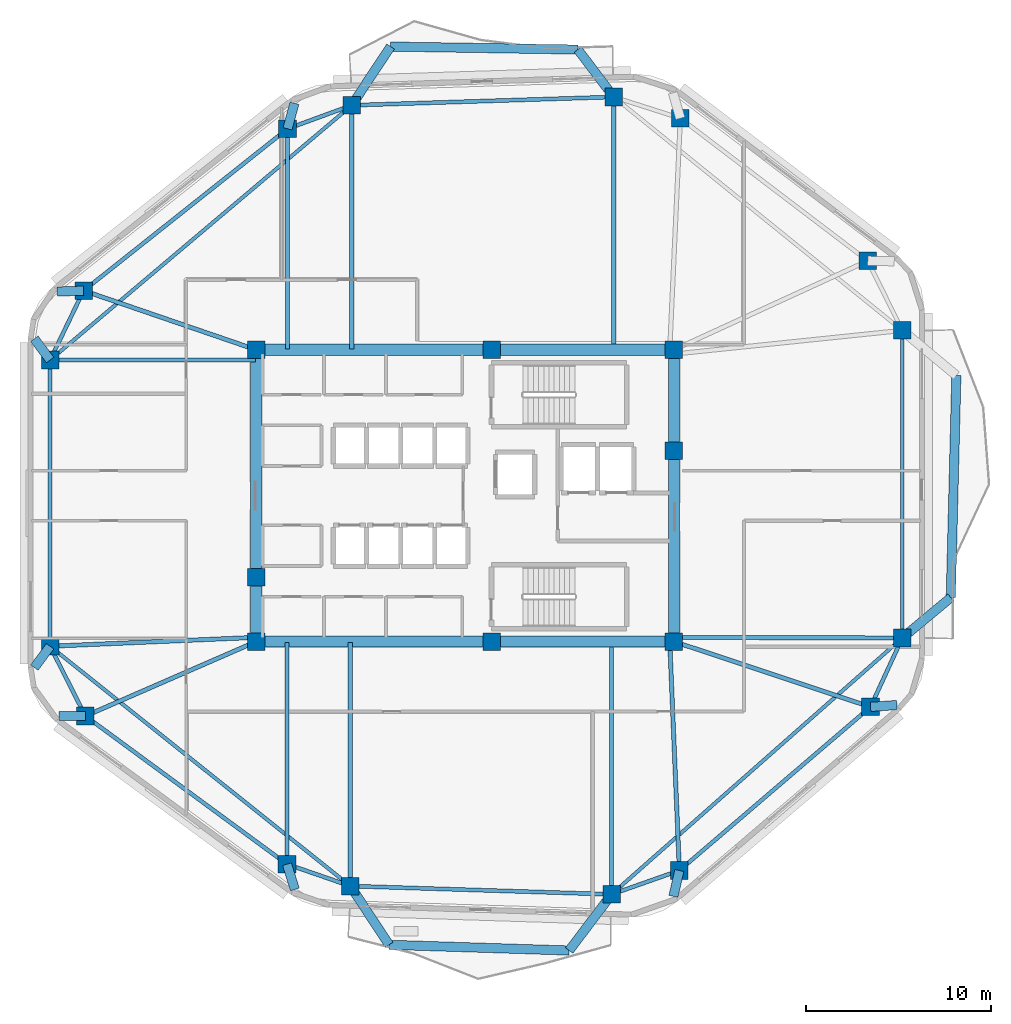
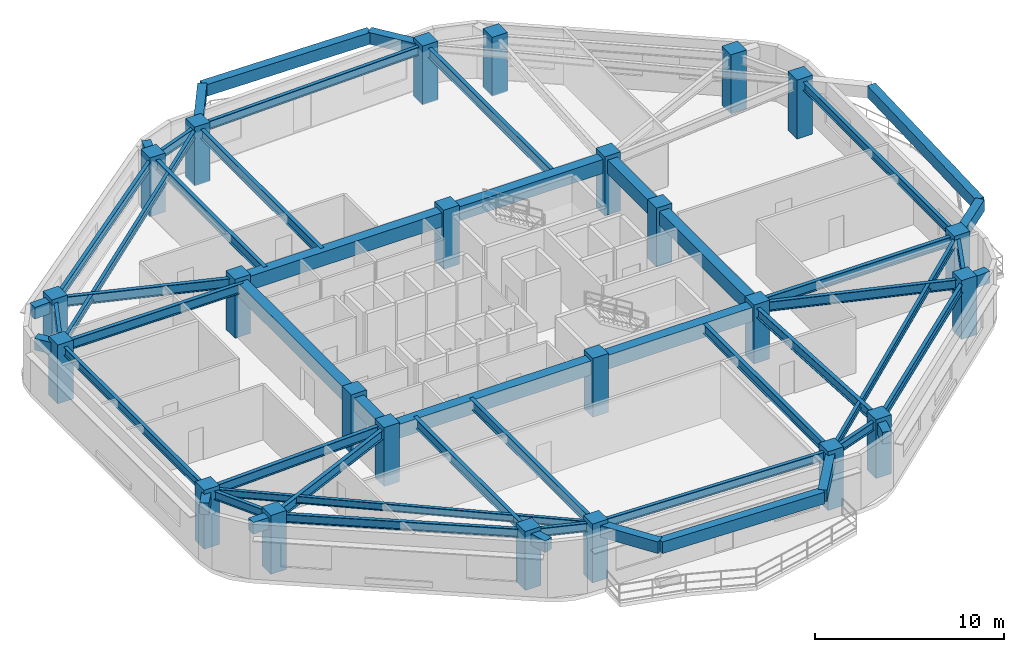
# One storey, part 1 of 8: 53 beams, 24 columns.
"""IFC4 building model written with IfcOpenShell, lengths in metres."""

from ifc_helpers import new_model, si_unit, direction, frame, origin, origin_2d, place, context, subcontext, project, spatial, rectangle, i_section, extrude, material, material_profile, profile_set, type_object, element, save


model = new_model("IFC4")

# Units and contexts
model_context = context("Model", 3, precision=1e-05, world=origin(), true_north=direction((0.0, 1.0)))
body_context = subcontext(model_context, "Body", "Model", "MODEL_VIEW")
ifc_project = project(units=[si_unit("LENGTHUNIT", "METRE"), si_unit("AREAUNIT", "SQUARE_METRE"), si_unit("VOLUMEUNIT", "CUBIC_METRE"), si_unit("PLANEANGLEUNIT", "RADIAN"), si_unit("MASSUNIT", "GRAM", prefix="KILO")], contexts=[model_context])

# Site, building, storey
site_placement = place(None, origin())
site = spatial("IfcSite", under=ifc_project, at=site_placement, CompositionType="ELEMENT")
building_placement = place(site_placement, origin())
building = spatial("IfcBuilding", under=site, at=building_placement, Name="Zulverin Broadcast Headquarters", CompositionType="ELEMENT")
storey_placement = place(building_placement, frame((0.0, 0.0, 163.0)))
storey = spatial("IfcBuildingStorey", under=building, at=storey_placement, Name="L41", CompositionType="ELEMENT", Elevation=163.0)

# Columns
ifc_material_1 = material(Name="Concrete C50/60", Category="concrete")
ifc_material_profile_1 = material_profile(ifc_material_1, rectangle(XDim=0.949951171875, YDim=0.949951171875, at=origin_2d()), Name="Concrete C50/60", Category="concrete")
ifc_profile_set_1 = profile_set([ifc_material_profile_1], Name="Concrete C50/60")
column_type_1 = type_object("IfcColumnType", Name="COL-RC-950", PredefinedType="COLUMN", material=ifc_profile_set_1)
for number, where, z_axis, x_axis, name in (
    (1, (30.80859375, 4.12744140625, 0.0), (0.0, 0.0, 1.0), (1.0, 0.0, 0.0), "L41 Perimeter Column T01"),
    (2, (44.909912109375, 3.68017578125, 0.0), (0.0, 0.0, 1.0), (1.0, 0.0, 0.0), "L41 Perimeter Column T02"),
    (3, (48.569580078125, 4.967041015625, 0.0), (0.0, 0.0, 1.0), (1.0, 0.0, 0.0), "L41 Perimeter Column T03"),
    (4, (58.886962890625, 13.798095703125, 0.0), (0.0, 0.0, 1.0), (1.0, 0.0, 0.0), "L41 Perimeter Column T04"),
    (5, (60.60009765625, 17.519287109375, 0.0), (0.0, 0.0, 1.0), (1.0, 0.0, 0.0), "L41 Perimeter Column T05"),
    (6, (60.60009765625, 34.12158203125, 0.0), (0.0, 0.0, 1.0), (1.0, 0.0, 0.0), "L41 Perimeter Column T06"),
    (7, (58.738037109375, 37.877685546875, 0.0), (0.0, 0.0, 1.0), (1.0, 0.0, 0.0), "L41 Perimeter Column T07"),
    (8, (48.62158203125, 45.574951171875, 0.0), (0.0, 0.0, 1.0), (1.0, 0.0, 0.0), "L41 Perimeter Column T08"),
    (9, (45.027587890625, 46.7236328125, 0.0), (0.0, 0.0, 1.0), (1.0, 0.0, 0.0), "L41 Perimeter Column T09"),
    (10, (30.882080078125, 46.27490234375, 0.0), (0.0, 0.0, 1.0), (1.0, 0.0, 0.0), "L41 Perimeter Column T10"),
    (11, (27.416259765625, 45.00439453125, 0.0), (0.0, 0.0, 1.0), (1.0, 0.0, 0.0), "L41 Perimeter Column T11"),
    (12, (16.40869140625, 36.26806640625, 0.0), (0.0, 0.0, 1.0), (1.0, 0.0, 0.0), "L41 Perimeter Column T12"),
    (13, (14.60009765625, 32.523193359375, 0.0), (0.0, 0.0, 1.0), (1.0, 0.0, 0.0), "L41 Perimeter Column T13"),
    (14, (14.60009765625, 17.072021484375, 0.0), (0.0, 0.0, 1.0), (1.0, 0.0, 0.0), "L41 Perimeter Column T14"),
    (15, (16.50537109375, 13.306884765625, 0.0), (0.0, 0.0, 1.0), (1.0, 0.0, 0.0), "L41 Perimeter Column T15"),
    (16, (27.38720703125, 5.309814453125, 0.0), (0.0, 0.0, 1.0), (1.0, 0.0, 0.0), "L41 Perimeter Column T16"),
):
    element("IfcColumn", number, at=place(storey_placement, frame(where, z_axis=z_axis, x_axis=x_axis)), inside=storey, type_object=column_type_1, Name=name, PredefinedType="COLUMN", context=body_context, shape_type="SweptSolid", body=[
        extrude(rectangle(XDim=0.949951171875, YDim=0.949951171875, at=origin_2d()), origin(), (0.0, 0.0, 1.0), 3.800048828125),
    ])
ifc_material_profile_2 = material_profile(ifc_material_1, rectangle(XDim=0.949951171875, YDim=0.949951171875, at=origin_2d()), Name="Concrete C50/60", Category="concrete")
ifc_profile_set_2 = profile_set([ifc_material_profile_2], Name="Concrete C50/60")
column_type_2 = type_object("IfcColumnType", Name="PIL-RC-950", PredefinedType="PILASTER", material=ifc_profile_set_2)
for number, where, z_axis, x_axis, name in (
    (17, (25.72509765625, 17.324951171875, 0.0), (0.0, 0.0, 1.0), (1.0, 0.0, 0.0), "L41 Core Pilaster K01"),
    (18, (38.449951171875, 17.324951171875, 0.0), (0.0, 0.0, 1.0), (1.0, 0.0, 0.0), "L41 Core Pilaster K02"),
    (19, (48.27490234375, 17.324951171875, 0.0), (0.0, 0.0, 1.0), (1.0, 0.0, 0.0), "L41 Core Pilaster K03"),
    (20, (48.27490234375, 27.6201171875, 0.0), (0.0, 0.0, 1.0), (1.0, 0.0, 0.0), "L41 Core Pilaster K04"),
    (21, (48.27490234375, 33.074951171875, 0.0), (0.0, 0.0, 1.0), (1.0, 0.0, 0.0), "L41 Core Pilaster K05"),
    (22, (38.449951171875, 33.074951171875, 0.0), (0.0, 0.0, 1.0), (1.0, 0.0, 0.0), "L41 Core Pilaster K06"),
    (23, (25.72509765625, 33.074951171875, 0.0), (0.0, 0.0, 1.0), (1.0, 0.0, 0.0), "L41 Core Pilaster K07"),
    (24, (25.72509765625, 20.800048828125, 0.0), (0.0, 0.0, 1.0), (1.0, 0.0, 0.0), "L41 Core Pilaster K08"),
):
    element("IfcColumn", number, at=place(storey_placement, frame(where, z_axis=z_axis, x_axis=x_axis)), inside=storey, type_object=column_type_2, Name=name, PredefinedType="PILASTER", context=body_context, shape_type="SweptSolid", body=[
        extrude(rectangle(XDim=0.949951171875, YDim=0.949951171875, at=origin_2d()), origin(), (0.0, 0.0, 1.0), 3.800048828125),
    ])

# Beams
ifc_material_2 = material(Name="Concrete C60/75", Category="concrete")
ifc_material_profile_3 = material_profile(ifc_material_2, rectangle(XDim=0.60009765625, YDim=0.89990234375, at=origin_2d()), Name="Concrete C60/75", Category="concrete")
ifc_profile_set_3 = profile_set([ifc_material_profile_3], Name="Concrete C60/75")
beam_type_1 = type_object("IfcBeamType", Name="BM-CB-600x900", PredefinedType="LINTEL", material=ifc_profile_set_3)
beam_1_placement = place(storey_placement, frame((25.72509765625, 17.324951171875, 3.090087890625), z_axis=(1.0, 0.0, 0.0), x_axis=(0.0, 1.0, 0.0)))
element("IfcBeam", 25, at=beam_1_placement, inside=storey, type_object=beam_type_1, Name="L41 Core Coupling Girder K01-K02", PredefinedType="LINTEL", context=body_context, shape_type="SweptSolid", body=[
    extrude(rectangle(XDim=0.60009765625, YDim=0.89990234375, at=origin_2d()), origin(), (0.0, 0.0, 1.0), 12.724853515625),
])
beam_2_placement = place(storey_placement, frame((38.449951171875, 17.324951171875, 3.090087890625), z_axis=(1.0, 0.0, 0.0), x_axis=(0.0, 1.0, 0.0)))
element("IfcBeam", 26, at=beam_2_placement, inside=storey, type_object=beam_type_1, Name="L41 Core Coupling Girder K02-K03", PredefinedType="LINTEL", context=body_context, shape_type="SweptSolid", body=[
    extrude(rectangle(XDim=0.60009765625, YDim=0.89990234375, at=origin_2d()), origin(), (0.0, 0.0, 1.0), 9.824951171875),
])
beam_3_placement = place(storey_placement, frame((48.27490234375, 17.324951171875, 3.090087890625), z_axis=(0.0, 1.0, 0.0), x_axis=(-1.0, 0.0, 0.0)))
element("IfcBeam", 27, at=beam_3_placement, inside=storey, type_object=beam_type_1, Name="L41 Core Coupling Girder K03-K04", PredefinedType="LINTEL", context=body_context, shape_type="SweptSolid", body=[
    extrude(rectangle(XDim=0.60009765625, YDim=0.89990234375, at=origin_2d()), origin(), (0.0, 0.0, 1.0), 10.295166015625),
])
beam_4_placement = place(storey_placement, frame((48.27490234375, 27.6201171875, 3.090087890625), z_axis=(0.0, 1.0, 0.0), x_axis=(-1.0, 0.0, 0.0)))
element("IfcBeam", 28, at=beam_4_placement, inside=storey, type_object=beam_type_1, Name="L41 Core Coupling Girder K04-K05", PredefinedType="LINTEL", context=body_context, shape_type="SweptSolid", body=[
    extrude(rectangle(XDim=0.60009765625, YDim=0.89990234375, at=origin_2d()), origin(), (0.0, 0.0, 1.0), 5.454833984375),
])
beam_5_placement = place(storey_placement, frame((48.27490234375, 33.074951171875, 3.090087890625), z_axis=(-1.0, 0.0, 0.0), x_axis=(0.0, -1.0, 0.0)))
element("IfcBeam", 29, at=beam_5_placement, inside=storey, type_object=beam_type_1, Name="L41 Core Coupling Girder K05-K06", PredefinedType="LINTEL", context=body_context, shape_type="SweptSolid", body=[
    extrude(rectangle(XDim=0.60009765625, YDim=0.89990234375, at=origin_2d()), origin(), (0.0, 0.0, 1.0), 9.824951171875),
])
beam_6_placement = place(storey_placement, frame((38.449951171875, 33.074951171875, 3.090087890625), z_axis=(-1.0, 0.0, 0.0), x_axis=(0.0, -1.0, 0.0)))
element("IfcBeam", 30, at=beam_6_placement, inside=storey, type_object=beam_type_1, Name="L41 Core Coupling Girder K06-K07", PredefinedType="LINTEL", context=body_context, shape_type="SweptSolid", body=[
    extrude(rectangle(XDim=0.60009765625, YDim=0.89990234375, at=origin_2d()), origin(), (0.0, 0.0, 1.0), 12.724853515625),
])
beam_7_placement = place(storey_placement, frame((25.72509765625, 33.074951171875, 3.090087890625), z_axis=(0.0, -1.0, 0.0), x_axis=(1.0, 0.0, 0.0)))
element("IfcBeam", 31, at=beam_7_placement, inside=storey, type_object=beam_type_1, Name="L41 Core Coupling Girder K07-K08", PredefinedType="LINTEL", context=body_context, shape_type="SweptSolid", body=[
    extrude(rectangle(XDim=0.60009765625, YDim=0.89990234375, at=origin_2d()), origin(), (0.0, 0.0, 1.0), 12.27490234375),
])
beam_8_placement = place(storey_placement, frame((25.72509765625, 20.800048828125, 3.090087890625), z_axis=(0.0, -1.0, 0.0), x_axis=(1.0, 0.0, 0.0)))
element("IfcBeam", 32, at=beam_8_placement, inside=storey, type_object=beam_type_1, Name="L41 Core Coupling Girder K08-K01", PredefinedType="LINTEL", context=body_context, shape_type="SweptSolid", body=[
    extrude(rectangle(XDim=0.60009765625, YDim=0.89990234375, at=origin_2d()), origin(), (0.0, 0.0, 1.0), 3.47509765625),
])
ifc_material_3 = material(Name="Concrete C40/50", Category="concrete")
ifc_material_profile_4 = material_profile(ifc_material_3, rectangle(XDim=0.5, YDim=0.75, at=origin_2d()), Name="Concrete C40/50", Category="concrete")
ifc_profile_set_4 = profile_set([ifc_material_profile_4], Name="Concrete C40/50")
beam_type_2 = type_object("IfcBeamType", Name="BM-RC-500x750", PredefinedType="BEAM", material=ifc_profile_set_4)
for number, where, z_axis, x_axis, name in (
    (33, (48.569580078125, 4.967041015625, 3.1650390625), (-0.224497908308, -0.974474570815, 0.0), (0.974474570815, -0.224497908308, 0.0), "L42 Plate Overhang Back-Spanned Beam OVR-03"),
    (34, (58.886962890625, 13.798095703125, 3.1650390625), (0.997450894981, 0.071356233801, 0.0), (-0.071356233801, 0.997450894981, 0.0), "L42 Plate Overhang Back-Spanned Beam OVR-04"),
    (35, (27.416259765625, 45.00439453125, 3.1650390625), (0.260328526912, 0.965520097189, 0.0), (-0.965520097189, 0.260328526912, 0.0), "L42 Plate Overhang Back-Spanned Beam OVR-11"),
):
    element("IfcBeam", number, at=place(storey_placement, frame(where, z_axis=z_axis, x_axis=x_axis)), inside=storey, type_object=beam_type_2, Name=name, PredefinedType="BEAM", context=body_context, shape_type="SweptSolid", body=[
        extrude(rectangle(XDim=0.5, YDim=0.75, at=origin_2d()), origin(), (0.0, 0.0, 1.0), 1.43017578125),
    ])
for number, where, z_axis, x_axis, name in (
    (36, (16.40869140625, 36.26806640625, 3.1650390625), (-0.999411057508, -0.034315275463, 0.0), (0.034315275463, -0.999411057508, 0.0), "L42 Plate Overhang Back-Spanned Beam OVR-12"),
    (37, (14.60009765625, 32.523193359375, 3.1650390625), (-0.594467864193, 0.804119368279, 0.0), (-0.804119368279, -0.594467864193, 0.0), "L42 Plate Overhang Back-Spanned Beam OVR-13"),
):
    element("IfcBeam", number, at=place(storey_placement, frame(where, z_axis=z_axis, x_axis=x_axis)), inside=storey, type_object=beam_type_2, Name=name, PredefinedType="BEAM", context=body_context, shape_type="SweptSolid", body=[
        extrude(rectangle(XDim=0.5, YDim=0.75, at=origin_2d()), origin(), (0.0, 0.0, 1.0), 1.429931640625),
    ])
beam_9_placement = place(storey_placement, frame((14.60009765625, 17.072021484375, 3.1650390625), z_axis=(-0.594386261368, -0.80417968906, 0.0), x_axis=(0.80417968906, -0.594386261368, 0.0)))
element("IfcBeam", 38, at=beam_9_placement, inside=storey, type_object=beam_type_2, Name="L42 Plate Overhang Back-Spanned Beam OVR-14", PredefinedType="BEAM", context=body_context, shape_type="SweptSolid", body=[
    extrude(rectangle(XDim=0.5, YDim=0.75, at=origin_2d()), origin(), (0.0, 0.0, 1.0), 1.43017578125),
])
beam_10_placement = place(storey_placement, frame((16.50537109375, 13.306884765625, 3.1650390625), z_axis=(-0.999996268726, -0.002731763753, 0.0), x_axis=(0.002731763753, -0.999996268726, 0.0)))
element("IfcBeam", 39, at=beam_10_placement, inside=storey, type_object=beam_type_2, Name="L42 Plate Overhang Back-Spanned Beam OVR-15", PredefinedType="BEAM", context=body_context, shape_type="SweptSolid", body=[
    extrude(rectangle(XDim=0.5, YDim=0.75, at=origin_2d()), origin(), (0.0, 0.0, 1.0), 1.429931640625),
])
beam_11_placement = place(storey_placement, frame((27.38720703125, 5.309814453125, 3.1650390625), z_axis=(0.296184429368, -0.955130767905, 0.0), x_axis=(0.955130767905, 0.296184429368, 0.0)))
element("IfcBeam", 40, at=beam_11_placement, inside=storey, type_object=beam_type_2, Name="L42 Plate Overhang Back-Spanned Beam OVR-16", PredefinedType="BEAM", context=body_context, shape_type="SweptSolid", body=[
    extrude(rectangle(XDim=0.5, YDim=0.75, at=origin_2d()), origin(), (0.0, 0.0, 1.0), 1.43017578125),
])
beam_12_placement = place(storey_placement, frame((60.60009765625, 17.519287109375, 3.1650390625), z_axis=(0.768414935557, 0.639951941019, 0.0), x_axis=(-0.639951941019, 0.768414935557, 0.0)))
element("IfcBeam", 41, at=beam_12_placement, inside=storey, type_object=beam_type_2, Name="L42 Balcony Column-Framed Cantilever BAL_E-1", PredefinedType="BEAM", context=body_context, shape_type="SweptSolid", body=[
    extrude(rectangle(XDim=0.5, YDim=0.75, at=origin_2d()), origin(), (0.0, 0.0, 1.0), 3.409423828125),
])
beam_13_placement = place(storey_placement, frame((63.219970703125, 19.701171875, 3.1650390625), z_axis=(0.025020166122, 0.999686946642, 0.0), x_axis=(-0.999686946642, 0.025020166122, 0.0)))
element("IfcBeam", 42, at=beam_13_placement, inside=storey, type_object=beam_type_2, Name="L42 Balcony Outer Edge Trimmer Beam BAL_E", PredefinedType="BEAM", context=body_context, shape_type="SweptSolid", body=[
    extrude(rectangle(XDim=0.5, YDim=0.75, at=origin_2d()), origin(), (0.0, 0.0, 1.0), 11.9921875),
])
beam_14_placement = place(storey_placement, frame((30.80859375, 4.12744140625, 3.1650390625), z_axis=(0.550750010235, -0.834670249995, 0.0), x_axis=(0.834670249995, 0.550750010235, 0.0)))
element("IfcBeam", 43, at=beam_14_placement, inside=storey, type_object=beam_type_2, Name="L42 Balcony Column-Framed Cantilever BAL_S-1", PredefinedType="BEAM", context=body_context, shape_type="SweptSolid", body=[
    extrude(rectangle(XDim=0.5, YDim=0.75, at=origin_2d()), origin(), (0.0, 0.0, 1.0), 3.7998046875),
])
beam_15_placement = place(storey_placement, frame((44.909912109375, 3.68017578125, 3.1650390625), z_axis=(-0.602566759329, -0.798068481116, 0.0), x_axis=(0.798068481116, -0.602566759329, 0.0)))
element("IfcBeam", 44, at=beam_15_placement, inside=storey, type_object=beam_type_2, Name="L42 Balcony Column-Framed Cantilever BAL_S-2", PredefinedType="BEAM", context=body_context, shape_type="SweptSolid", body=[
    extrude(rectangle(XDim=0.5, YDim=0.75, at=origin_2d()), origin(), (0.0, 0.0, 1.0), 3.800048828125),
])
beam_16_placement = place(storey_placement, frame((32.9013671875, 0.955810546875, 3.1650390625), z_axis=(0.999497069167, -0.031711334364, 0.0), x_axis=(0.031711334364, 0.999497069167, 0.0)))
element("IfcBeam", 45, at=beam_16_placement, inside=storey, type_object=beam_type_2, Name="L42 Balcony Outer Edge Trimmer Beam BAL_S", PredefinedType="BEAM", context=body_context, shape_type="SweptSolid", body=[
    extrude(rectangle(XDim=0.5, YDim=0.75, at=origin_2d()), origin(), (0.0, 0.0, 1.0), 9.7236328125),
])
beam_17_placement = place(storey_placement, frame((45.027587890625, 46.7236328125, 3.1650390625), z_axis=(-0.60375228791, 0.797171985737, 0.0), x_axis=(-0.797171985737, -0.60375228791, 0.0)))
element("IfcBeam", 46, at=beam_17_placement, inside=storey, type_object=beam_type_2, Name="L42 Balcony Column-Framed Cantilever BAL_N-1", PredefinedType="BEAM", context=body_context, shape_type="SweptSolid", body=[
    extrude(rectangle(XDim=0.5, YDim=0.75, at=origin_2d()), origin(), (0.0, 0.0, 1.0), 3.211181640625),
])
beam_18_placement = place(storey_placement, frame((30.882080078125, 46.27490234375, 3.1650390625), z_axis=(0.551998960416, 0.833844798329, 0.0), x_axis=(-0.833844798329, 0.551998960416, 0.0)))
element("IfcBeam", 47, at=beam_18_placement, inside=storey, type_object=beam_type_2, Name="L42 Balcony Column-Framed Cantilever BAL_N-2", PredefinedType="BEAM", context=body_context, shape_type="SweptSolid", body=[
    extrude(rectangle(XDim=0.5, YDim=0.75, at=origin_2d()), origin(), (0.0, 0.0, 1.0), 3.800048828125),
])
beam_19_placement = place(storey_placement, frame((43.0888671875, 49.283447265625, 3.1650390625), z_axis=(-0.999874527542, 0.015840744079, 0.0), x_axis=(-0.015840744079, -0.999874527542, 0.0)))
element("IfcBeam", 48, at=beam_19_placement, inside=storey, type_object=beam_type_2, Name="L42 Balcony Outer Edge Trimmer Beam BAL_N", PredefinedType="BEAM", context=body_context, shape_type="SweptSolid", body=[
    extrude(rectangle(XDim=0.5, YDim=0.75, at=origin_2d()), origin(), (0.0, 0.0, 1.0), 10.1103515625),
])
ifc_material_4 = material(Name="Structural steel S355JR", Category="steel")
ifc_material_profile_5 = material_profile(ifc_material_4, i_section(OverallWidth=0.19287109375, OverallDepth=0.46728515625, WebThickness=0.011474609375, FlangeThickness=0.01953125, at=origin_2d()), Name="Structural steel S355JR", Category="steel")
ifc_profile_set_5 = profile_set([ifc_material_profile_5], Name="Structural steel S355JR")
beam_type_3 = type_object("IfcBeamType", Name="BM-UB-457", PredefinedType="JOIST", material=ifc_profile_set_5)
beam_20_placement = place(storey_placement, frame((44.909912109375, 3.68017578125, 3.306396484375), z_axis=(0.74996043981, 0.661482682102, 0.0), x_axis=(-0.661482682102, 0.74996043981, 0.0)))
element("IfcBeam", 49, at=beam_20_placement, inside=storey, type_object=beam_type_3, Name="L41 Chordal Floor Joist J-01", PredefinedType="JOIST", context=body_context, shape_type="SweptSolid", body=[
    extrude(i_section(OverallWidth=0.19287109375, OverallDepth=0.46728515625, WebThickness=0.011474609375, FlangeThickness=0.01953125, at=origin_2d()), origin(), (0.0, 0.0, 1.0), 20.92138671875),
])
beam_21_placement = place(storey_placement, frame((30.882080078125, 46.27490234375, 3.306396484375), z_axis=(-0.763972566446, -0.645248725468, 0.0), x_axis=(0.645248725468, -0.763972566446, 0.0)))
element("IfcBeam", 50, at=beam_21_placement, inside=storey, type_object=beam_type_3, Name="L41 Chordal Floor Joist J-03", PredefinedType="JOIST", context=body_context, shape_type="SweptSolid", body=[
    extrude(i_section(OverallWidth=0.19287109375, OverallDepth=0.46728515625, WebThickness=0.011474609375, FlangeThickness=0.01953125, at=origin_2d()), origin(), (0.0, 0.0, 1.0), 21.312255859375),
])
beam_22_placement = place(storey_placement, frame((14.60009765625, 17.072021484375, 3.306396484375), z_axis=(0.781390996609, -0.624041753746, 0.0), x_axis=(0.624041753746, 0.781390996609, 0.0)))
element("IfcBeam", 51, at=beam_22_placement, inside=storey, type_object=beam_type_3, Name="L41 Chordal Floor Joist J-04", PredefinedType="JOIST", context=body_context, shape_type="SweptSolid", body=[
    extrude(i_section(OverallWidth=0.19287109375, OverallDepth=0.46728515625, WebThickness=0.011474609375, FlangeThickness=0.01953125, at=origin_2d()), origin(), (0.0, 0.0, 1.0), 20.7431640625),
])
ifc_material_profile_6 = material_profile(ifc_material_4, i_section(OverallWidth=0.2119140625, OverallDepth=0.54443359375, WebThickness=0.0126953125, FlangeThickness=0.021240234375, at=origin_2d()), Name="Structural steel S355JR", Category="steel")
ifc_profile_set_6 = profile_set([ifc_material_profile_6], Name="Structural steel S355JR")
beam_type_4 = type_object("IfcBeamType", Name="BM-UB-533", PredefinedType="SPANDREL", material=ifc_profile_set_6)
beam_23_placement = place(storey_placement, frame((30.80859375, 4.12744140625, 3.267578125), z_axis=(0.999497363437, -0.031702058031, 0.0), x_axis=(0.031702058031, 0.999497363437, 0.0)))
element("IfcBeam", 52, at=beam_23_placement, inside=storey, type_object=beam_type_4, Name="L41 Perimeter Spandrel Beam SP-01", PredefinedType="SPANDREL", context=body_context, shape_type="SweptSolid", body=[
    extrude(i_section(OverallWidth=0.2119140625, OverallDepth=0.54443359375, WebThickness=0.0126953125, FlangeThickness=0.021240234375, at=origin_2d()), origin(), (0.0, 0.0, 1.0), 14.1083984375),
])
beam_24_placement = place(storey_placement, frame((44.909912109375, 3.68017578125, 3.267578125), z_axis=(0.943376593622, 0.331723684121, 0.0), x_axis=(-0.331723684121, 0.943376593622, 0.0)))
element("IfcBeam", 53, at=beam_24_placement, inside=storey, type_object=beam_type_4, Name="L41 Perimeter Spandrel Beam SP-02", PredefinedType="SPANDREL", context=body_context, shape_type="SweptSolid", body=[
    extrude(i_section(OverallWidth=0.2119140625, OverallDepth=0.54443359375, WebThickness=0.0126953125, FlangeThickness=0.021240234375, at=origin_2d()), origin(), (0.0, 0.0, 1.0), 3.87939453125),
])
beam_25_placement = place(storey_placement, frame((48.569580078125, 4.967041015625, 3.267578125), z_axis=(0.759708170965, 0.650264173217, 0.0), x_axis=(-0.650264173217, 0.759708170965, 0.0)))
element("IfcBeam", 54, at=beam_25_placement, inside=storey, type_object=beam_type_4, Name="L41 Perimeter Spandrel Beam SP-03", PredefinedType="SPANDREL", context=body_context, shape_type="SweptSolid", body=[
    extrude(i_section(OverallWidth=0.2119140625, OverallDepth=0.54443359375, WebThickness=0.0126953125, FlangeThickness=0.021240234375, at=origin_2d()), origin(), (0.0, 0.0, 1.0), 13.580810546875),
])
beam_26_placement = place(storey_placement, frame((58.886962890625, 13.798095703125, 3.267578125), z_axis=(0.418184975358, 0.90836189175, 0.0), x_axis=(-0.90836189175, 0.418184975358, 0.0)))
element("IfcBeam", 55, at=beam_26_placement, inside=storey, type_object=beam_type_4, Name="L41 Perimeter Spandrel Beam SP-04", PredefinedType="SPANDREL", context=body_context, shape_type="SweptSolid", body=[
    extrude(i_section(OverallWidth=0.2119140625, OverallDepth=0.54443359375, WebThickness=0.0126953125, FlangeThickness=0.021240234375, at=origin_2d()), origin(), (0.0, 0.0, 1.0), 4.0966796875),
])
beam_27_placement = place(storey_placement, frame((60.60009765625, 17.519287109375, 3.267578125), z_axis=(0.0, 1.0, 0.0), x_axis=(-1.0, 0.0, 0.0)))
element("IfcBeam", 56, at=beam_27_placement, inside=storey, type_object=beam_type_4, Name="L41 Perimeter Spandrel Beam SP-05", PredefinedType="SPANDREL", context=body_context, shape_type="SweptSolid", body=[
    extrude(i_section(OverallWidth=0.2119140625, OverallDepth=0.54443359375, WebThickness=0.0126953125, FlangeThickness=0.021240234375, at=origin_2d()), origin(), (0.0, 0.0, 1.0), 16.602294921875),
])
beam_28_placement = place(storey_placement, frame((45.027587890625, 46.7236328125, 3.267578125), z_axis=(-0.999497221833, -0.031706522156, 0.0), x_axis=(0.031706522156, -0.999497221833, 0.0)))
element("IfcBeam", 57, at=beam_28_placement, inside=storey, type_object=beam_type_4, Name="L41 Perimeter Spandrel Beam SP-09", PredefinedType="SPANDREL", context=body_context, shape_type="SweptSolid", body=[
    extrude(i_section(OverallWidth=0.2119140625, OverallDepth=0.54443359375, WebThickness=0.0126953125, FlangeThickness=0.021240234375, at=origin_2d()), origin(), (0.0, 0.0, 1.0), 14.152587890625),
])
beam_29_placement = place(storey_placement, frame((30.882080078125, 46.27490234375, 3.267578125), z_axis=(-0.938901965426, -0.344184687805, 0.0), x_axis=(0.344184687805, -0.938901965426, 0.0)))
element("IfcBeam", 58, at=beam_29_placement, inside=storey, type_object=beam_type_4, Name="L41 Perimeter Spandrel Beam SP-10", PredefinedType="SPANDREL", context=body_context, shape_type="SweptSolid", body=[
    extrude(i_section(OverallWidth=0.2119140625, OverallDepth=0.54443359375, WebThickness=0.0126953125, FlangeThickness=0.021240234375, at=origin_2d()), origin(), (0.0, 0.0, 1.0), 3.69140625),
])
beam_30_placement = place(storey_placement, frame((27.416259765625, 45.00439453125, 3.267578125), z_axis=(-0.783283263401, -0.621664965457, 0.0), x_axis=(0.621664965457, -0.783283263401, 0.0)))
element("IfcBeam", 59, at=beam_30_placement, inside=storey, type_object=beam_type_4, Name="L41 Perimeter Spandrel Beam SP-11", PredefinedType="SPANDREL", context=body_context, shape_type="SweptSolid", body=[
    extrude(i_section(OverallWidth=0.2119140625, OverallDepth=0.54443359375, WebThickness=0.0126953125, FlangeThickness=0.021240234375, at=origin_2d()), origin(), (0.0, 0.0, 1.0), 14.05322265625),
])
beam_31_placement = place(storey_placement, frame((16.40869140625, 36.26806640625, 3.267578125), z_axis=(-0.434890248034, -0.900483465792, 0.0), x_axis=(0.900483465792, -0.434890248034, 0.0)))
element("IfcBeam", 60, at=beam_31_placement, inside=storey, type_object=beam_type_4, Name="L41 Perimeter Spandrel Beam SP-12", PredefinedType="SPANDREL", context=body_context, shape_type="SweptSolid", body=[
    extrude(i_section(OverallWidth=0.2119140625, OverallDepth=0.54443359375, WebThickness=0.0126953125, FlangeThickness=0.021240234375, at=origin_2d()), origin(), (0.0, 0.0, 1.0), 4.15869140625),
])
beam_32_placement = place(storey_placement, frame((14.60009765625, 32.523193359375, 3.267578125), z_axis=(0.0, -1.0, 0.0), x_axis=(1.0, 0.0, 0.0)))
element("IfcBeam", 61, at=beam_32_placement, inside=storey, type_object=beam_type_4, Name="L41 Perimeter Spandrel Beam SP-13", PredefinedType="SPANDREL", context=body_context, shape_type="SweptSolid", body=[
    extrude(i_section(OverallWidth=0.2119140625, OverallDepth=0.54443359375, WebThickness=0.0126953125, FlangeThickness=0.021240234375, at=origin_2d()), origin(), (0.0, 0.0, 1.0), 15.451171875),
])
beam_33_placement = place(storey_placement, frame((14.60009765625, 17.072021484375, 3.267578125), z_axis=(0.451512947895, -0.892264567201, 0.0), x_axis=(0.892264567201, 0.451512947895, 0.0)))
element("IfcBeam", 62, at=beam_33_placement, inside=storey, type_object=beam_type_4, Name="L41 Perimeter Spandrel Beam SP-14", PredefinedType="SPANDREL", context=body_context, shape_type="SweptSolid", body=[
    extrude(i_section(OverallWidth=0.2119140625, OverallDepth=0.54443359375, WebThickness=0.0126953125, FlangeThickness=0.021240234375, at=origin_2d()), origin(), (0.0, 0.0, 1.0), 4.2197265625),
])
beam_34_placement = place(storey_placement, frame((16.50537109375, 13.306884765625, 3.267578125), z_axis=(0.805802234061, -0.592184734338, 0.0), x_axis=(0.592184734338, 0.805802234061, 0.0)))
element("IfcBeam", 63, at=beam_34_placement, inside=storey, type_object=beam_type_4, Name="L41 Perimeter Spandrel Beam SP-15", PredefinedType="SPANDREL", context=body_context, shape_type="SweptSolid", body=[
    extrude(i_section(OverallWidth=0.2119140625, OverallDepth=0.54443359375, WebThickness=0.0126953125, FlangeThickness=0.021240234375, at=origin_2d()), origin(), (0.0, 0.0, 1.0), 13.50439453125),
])
beam_35_placement = place(storey_placement, frame((27.38720703125, 5.309814453125, 3.267578125), z_axis=(0.945152732867, -0.326628705956, 0.0), x_axis=(0.326628705956, 0.945152732867, 0.0)))
element("IfcBeam", 64, at=beam_35_placement, inside=storey, type_object=beam_type_4, Name="L41 Perimeter Spandrel Beam SP-16", PredefinedType="SPANDREL", context=body_context, shape_type="SweptSolid", body=[
    extrude(i_section(OverallWidth=0.2119140625, OverallDepth=0.54443359375, WebThickness=0.0126953125, FlangeThickness=0.021240234375, at=origin_2d()), origin(), (0.0, 0.0, 1.0), 3.619873046875),
])
ifc_material_profile_7 = material_profile(ifc_material_4, i_section(OverallWidth=0.230224609375, OverallDepth=0.6171875, WebThickness=0.01318359375, FlangeThickness=0.022216796875, at=origin_2d()), Name="Structural steel S355JR", Category="steel")
ifc_profile_set_7 = profile_set([ifc_material_profile_7], Name="Structural steel S355JR")
beam_type_5 = type_object("IfcBeamType", Name="BM-UB-610", PredefinedType="BEAM", material=ifc_profile_set_7)
beam_36_placement = place(storey_placement, frame((30.80859375, 17.27490234375, 3.2314453125), z_axis=(0.0, -1.0, 0.0), x_axis=(1.0, 0.0, 0.0)))
element("IfcBeam", 65, at=beam_36_placement, inside=storey, type_object=beam_type_5, Name="L41 Radial Primary Floor Beam RB-01", PredefinedType="BEAM", context=body_context, shape_type="SweptSolid", body=[
    extrude(i_section(OverallWidth=0.230224609375, OverallDepth=0.6171875, WebThickness=0.01318359375, FlangeThickness=0.022216796875, at=origin_2d()), origin(), (0.0, 0.0, 1.0), 13.1474609375),
])
beam_37_placement = place(storey_placement, frame((44.909912109375, 17.27490234375, 3.2314453125), z_axis=(0.0, -1.0, 0.0), x_axis=(1.0, 0.0, 0.0)))
element("IfcBeam", 66, at=beam_37_placement, inside=storey, type_object=beam_type_5, Name="L41 Radial Primary Floor Beam RB-02", PredefinedType="BEAM", context=body_context, shape_type="SweptSolid", body=[
    extrude(i_section(OverallWidth=0.230224609375, OverallDepth=0.6171875, WebThickness=0.01318359375, FlangeThickness=0.022216796875, at=origin_2d()), origin(), (0.0, 0.0, 1.0), 13.5947265625),
])
beam_38_placement = place(storey_placement, frame((48.050048828125, 17.27490234375, 3.2314453125), z_axis=(0.042173778549, -0.99911029041, 0.0), x_axis=(0.99911029041, 0.042173778549, 0.0)))
element("IfcBeam", 67, at=beam_38_placement, inside=storey, type_object=beam_type_5, Name="L41 Radial Primary Floor Beam RB-03", PredefinedType="BEAM", context=body_context, shape_type="SweptSolid", body=[
    extrude(i_section(OverallWidth=0.230224609375, OverallDepth=0.6171875, WebThickness=0.01318359375, FlangeThickness=0.022216796875, at=origin_2d()), origin(), (0.0, 0.0, 1.0), 12.31884765625),
])
beam_39_placement = place(storey_placement, frame((48.27490234375, 17.324951171875, 3.2314453125), z_axis=(0.948964552547, -0.315382748432, 0.0), x_axis=(0.315382748432, 0.948964552547, 0.0)))
element("IfcBeam", 68, at=beam_39_placement, inside=storey, type_object=beam_type_5, Name="L41 Radial Primary Floor Beam RB-04", PredefinedType="BEAM", context=body_context, shape_type="SweptSolid", body=[
    extrude(i_section(OverallWidth=0.230224609375, OverallDepth=0.6171875, WebThickness=0.01318359375, FlangeThickness=0.022216796875, at=origin_2d()), origin(), (0.0, 0.0, 1.0), 11.182861328125),
])
beam_40_placement = place(storey_placement, frame((48.324951171875, 17.550048828125, 3.2314453125), z_axis=(0.999996859956, -0.002506008559, 0.0), x_axis=(0.002506008559, 0.999996859956, 0.0)))
element("IfcBeam", 69, at=beam_40_placement, inside=storey, type_object=beam_type_5, Name="L41 Radial Primary Floor Beam RB-05", PredefinedType="BEAM", context=body_context, shape_type="SweptSolid", body=[
    extrude(i_section(OverallWidth=0.230224609375, OverallDepth=0.6171875, WebThickness=0.01318359375, FlangeThickness=0.022216796875, at=origin_2d()), origin(), (0.0, 0.0, 1.0), 12.275146484375),
])
beam_41_placement = place(storey_placement, frame((45.027587890625, 33.125, 3.2314453125), z_axis=(0.0, 1.0, 0.0), x_axis=(-1.0, 0.0, 0.0)))
element("IfcBeam", 70, at=beam_41_placement, inside=storey, type_object=beam_type_5, Name="L41 Radial Primary Floor Beam RB-09", PredefinedType="BEAM", context=body_context, shape_type="SweptSolid", body=[
    extrude(i_section(OverallWidth=0.230224609375, OverallDepth=0.6171875, WebThickness=0.01318359375, FlangeThickness=0.022216796875, at=origin_2d()), origin(), (0.0, 0.0, 1.0), 13.5986328125),
])
beam_42_placement = place(storey_placement, frame((30.882080078125, 33.125, 3.2314453125), z_axis=(0.0, 1.0, 0.0), x_axis=(-1.0, 0.0, 0.0)))
element("IfcBeam", 71, at=beam_42_placement, inside=storey, type_object=beam_type_5, Name="L41 Radial Primary Floor Beam RB-10", PredefinedType="BEAM", context=body_context, shape_type="SweptSolid", body=[
    extrude(i_section(OverallWidth=0.230224609375, OverallDepth=0.6171875, WebThickness=0.01318359375, FlangeThickness=0.022216796875, at=origin_2d()), origin(), (0.0, 0.0, 1.0), 13.14990234375),
])
beam_43_placement = place(storey_placement, frame((27.416259765625, 33.125, 3.2314453125), z_axis=(0.0, 1.0, 0.0), x_axis=(-1.0, 0.0, 0.0)))
element("IfcBeam", 72, at=beam_43_placement, inside=storey, type_object=beam_type_5, Name="L41 Radial Primary Floor Beam RB-11", PredefinedType="BEAM", context=body_context, shape_type="SweptSolid", body=[
    extrude(i_section(OverallWidth=0.230224609375, OverallDepth=0.6171875, WebThickness=0.01318359375, FlangeThickness=0.022216796875, at=origin_2d()), origin(), (0.0, 0.0, 1.0), 11.87939453125),
])
beam_44_placement = place(storey_placement, frame((25.72509765625, 33.074951171875, 3.2314453125), z_axis=(-0.945979621685, 0.324226086793, 0.0), x_axis=(-0.324226086793, -0.945979621685, 0.0)))
element("IfcBeam", 73, at=beam_44_placement, inside=storey, type_object=beam_type_5, Name="L41 Radial Primary Floor Beam RB-12", PredefinedType="BEAM", context=body_context, shape_type="SweptSolid", body=[
    extrude(i_section(OverallWidth=0.230224609375, OverallDepth=0.6171875, WebThickness=0.01318359375, FlangeThickness=0.022216796875, at=origin_2d()), origin(), (0.0, 0.0, 1.0), 9.848388671875),
])
beam_45_placement = place(storey_placement, frame((25.675048828125, 32.523193359375, 3.2314453125), z_axis=(-1.0, 0.0, 0.0), x_axis=(0.0, -1.0, 0.0)))
element("IfcBeam", 74, at=beam_45_placement, inside=storey, type_object=beam_type_5, Name="L41 Radial Primary Floor Beam RB-13", PredefinedType="BEAM", context=body_context, shape_type="SweptSolid", body=[
    extrude(i_section(OverallWidth=0.230224609375, OverallDepth=0.6171875, WebThickness=0.01318359375, FlangeThickness=0.022216796875, at=origin_2d()), origin(), (0.0, 0.0, 1.0), 11.074951171875),
])
beam_46_placement = place(storey_placement, frame((25.675048828125, 17.550048828125, 3.2314453125), z_axis=(-0.999069780306, -0.043122779134, 0.0), x_axis=(0.043122779134, -0.999069780306, 0.0)))
element("IfcBeam", 75, at=beam_46_placement, inside=storey, type_object=beam_type_5, Name="L41 Radial Primary Floor Beam RB-14", PredefinedType="BEAM", context=body_context, shape_type="SweptSolid", body=[
    extrude(i_section(OverallWidth=0.230224609375, OverallDepth=0.6171875, WebThickness=0.01318359375, FlangeThickness=0.022216796875, at=origin_2d()), origin(), (0.0, 0.0, 1.0), 11.085205078125),
])
beam_47_placement = place(storey_placement, frame((25.72509765625, 17.324951171875, 3.2314453125), z_axis=(-0.916724690104, -0.39951951461, 0.0), x_axis=(0.39951951461, -0.916724690104, 0.0)))
element("IfcBeam", 76, at=beam_47_placement, inside=storey, type_object=beam_type_5, Name="L41 Radial Primary Floor Beam RB-15", PredefinedType="BEAM", context=body_context, shape_type="SweptSolid", body=[
    extrude(i_section(OverallWidth=0.230224609375, OverallDepth=0.6171875, WebThickness=0.01318359375, FlangeThickness=0.022216796875, at=origin_2d()), origin(), (0.0, 0.0, 1.0), 10.05712890625),
])
beam_48_placement = place(storey_placement, frame((27.38720703125, 17.27490234375, 3.2314453125), z_axis=(0.0, -1.0, 0.0), x_axis=(1.0, 0.0, 0.0)))
element("IfcBeam", 77, at=beam_48_placement, inside=storey, type_object=beam_type_5, Name="L41 Radial Primary Floor Beam RB-16", PredefinedType="BEAM", context=body_context, shape_type="SweptSolid", body=[
    extrude(i_section(OverallWidth=0.230224609375, OverallDepth=0.6171875, WebThickness=0.01318359375, FlangeThickness=0.022216796875, at=origin_2d()), origin(), (0.0, 0.0, 1.0), 11.965087890625),
])

save(model, "model.ifc")
